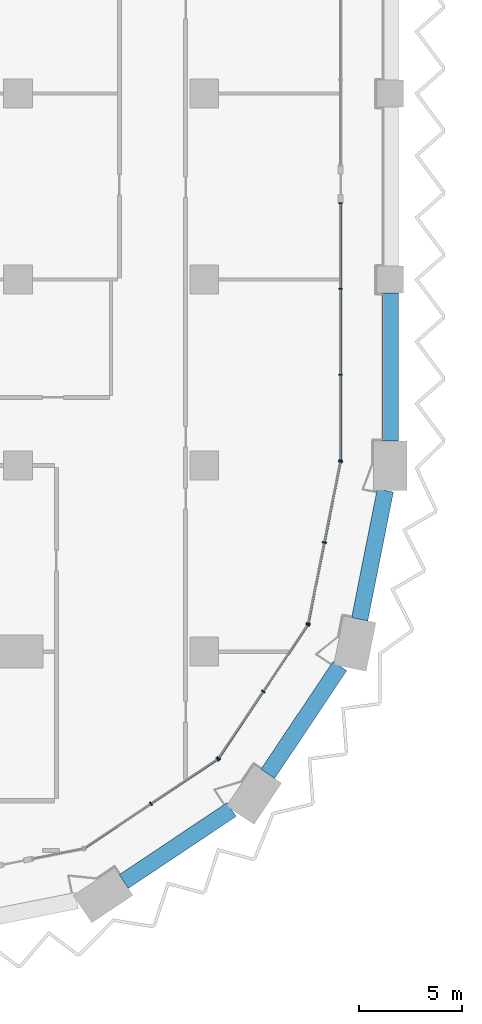
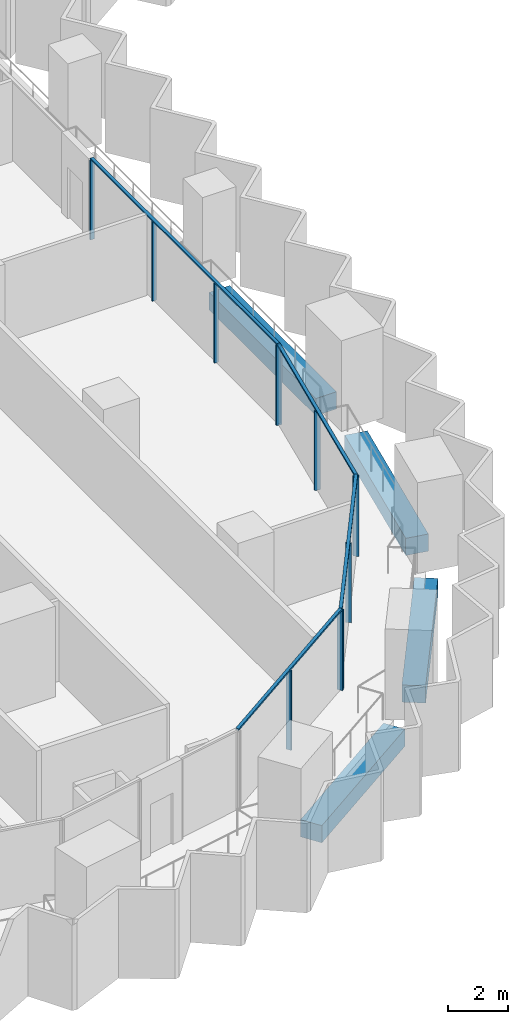
# One storey, part 3 of 28: 16 members, 4 beams, 4 elements without a shape of their own.
"""IFC4 building model written with IfcOpenShell, lengths in metres."""

from ifc_helpers import new_model, si_unit, direction, frame, origin, origin_2d, place, context, subcontext, project, spatial, rectangle, extrude, material, material_profile, profile_set, type_object, element, aggregate, save


model = new_model("IFC4")

# Units and contexts
model_context = context("Model", 3, precision=1e-05, world=origin(), true_north=direction((0.0, 1.0)))
body_context = subcontext(model_context, "Body", "Model", "MODEL_VIEW")
ifc_project = project(units=[si_unit("LENGTHUNIT", "METRE"), si_unit("AREAUNIT", "SQUARE_METRE"), si_unit("VOLUMEUNIT", "CUBIC_METRE"), si_unit("PLANEANGLEUNIT", "RADIAN"), si_unit("MASSUNIT", "GRAM", prefix="KILO")], contexts=[model_context])

# Site, building, storey
site_placement = place(None, origin())
site = spatial("IfcSite", under=ifc_project, at=site_placement, CompositionType="ELEMENT")
building_placement = place(site_placement, origin())
building = spatial("IfcBuilding", under=site, at=building_placement, Name="Hunhe Ridgeline Campus", CompositionType="ELEMENT")
storey_placement = place(building_placement, frame((0.0, 0.0, 61.699951171875)))
storey = spatial("IfcBuildingStorey", under=building, at=storey_placement, Name="L14", CompositionType="ELEMENT", Elevation=61.699951171875)

# Curtain wall, members
ifc_material_1 = material(Name="Aluminium 6063", Category="aluminium")
curtain_wall_type_1 = type_object("IfcCurtainWallType", Name="Curtain wall CW-1", PredefinedType="NOTDEFINED", material=ifc_material_1)
curtain_wall_1_placement = place(storey_placement, origin())
curtain_wall_1 = element("IfcCurtainWall", 1, at=curtain_wall_1_placement, inside=storey, type_object=curtain_wall_type_1, Name="Curtain wall 11", PredefinedType="NOTDEFINED")
ifc_material_profile_1 = material_profile(ifc_material_1, rectangle(XDim=0.159912109375, YDim=0.06005859375, at=origin_2d()))
ifc_profile_set_1 = profile_set([ifc_material_profile_1], Name="Aluminium 6063")
member_type_1 = type_object("IfcMemberType", Name="CW-1 aluminium mullion", PredefinedType="MULLION", material=ifc_profile_set_1)
member_1_placement = place(storey_placement, frame((42.59912109375, 27.266357421875, 0.0), z_axis=(0.0, 0.0, 1.0), x_axis=(-1.0, 1.60239e-07, 0.0)))
member_1 = element("IfcMember", 2, at=member_1_placement, type_object=member_type_1, Name="CW-1 mullion 1", PredefinedType="MULLION", context=body_context, shape_type="SweptSolid", body=[
    extrude(rectangle(XDim=0.159912109375, YDim=0.06005859375, at=origin_2d()), origin(), (0.0, 0.0, 1.0), 3.239990234375),
])
member_2_placement = place(storey_placement, frame((42.59912109375, 31.39697265625, 0.0), z_axis=(0.0, 0.0, 1.0), x_axis=(-1.0, 1.60239e-07, 0.0)))
member_2 = element("IfcMember", 3, at=member_2_placement, type_object=member_type_1, Name="CW-1 mullion 2", PredefinedType="MULLION", context=body_context, shape_type="SweptSolid", body=[
    extrude(rectangle(XDim=0.159912109375, YDim=0.06005859375, at=origin_2d()), origin(), (0.0, 0.0, 1.0), 3.239990234375),
])
member_3_placement = place(storey_placement, frame((42.59912109375, 35.5576171875, 0.0), z_axis=(0.0, 0.0, 1.0), x_axis=(-1.0, 1.60239e-07, 0.0)))
member_3 = element("IfcMember", 4, at=member_3_placement, type_object=member_type_1, Name="CW-1 mullion 3", PredefinedType="MULLION", context=body_context, shape_type="SweptSolid", body=[
    extrude(rectangle(XDim=0.159912109375, YDim=0.06005859375, at=origin_2d()), origin(), (0.0, 0.0, 1.0), 3.239990234375),
])
member_4_placement = place(storey_placement, frame((42.59912109375, 39.688232421875, 0.0), z_axis=(0.0, 0.0, 1.0), x_axis=(-1.0, 1.60239e-07, 0.0)))
member_4 = element("IfcMember", 5, at=member_4_placement, type_object=member_type_1, Name="CW-1 mullion 4", PredefinedType="MULLION", context=body_context, shape_type="SweptSolid", body=[
    extrude(rectangle(XDim=0.159912109375, YDim=0.06005859375, at=origin_2d()), origin(), (0.0, 0.0, 1.0), 3.239990234375),
])
ifc_material_profile_2 = material_profile(ifc_material_1, rectangle(XDim=0.1201171875, YDim=0.06005859375, at=origin_2d()))
ifc_profile_set_2 = profile_set([ifc_material_profile_2], Name="Aluminium 6063")
member_type_2 = type_object("IfcMemberType", Name="CW-1 aluminium transom", PredefinedType="USERDEFINED", material=ifc_profile_set_2)
member_5_placement = place(storey_placement, frame((42.59912109375, 27.236572265625, 3.27001953125), z_axis=(0.0, 1.0, 0.0), x_axis=(-1.0, 0.0, 0.0)))
member_5 = element("IfcMember", 6, at=member_5_placement, type_object=member_type_2, Name="CW-1 transom 1", ObjectType="TRANSOM", PredefinedType="USERDEFINED", context=body_context, shape_type="SweptSolid", body=[
    extrude(rectangle(XDim=0.1201171875, YDim=0.06005859375, at=origin_2d()), origin(), (0.0, 0.0, 1.0), 12.481689453125),
])
aggregate(curtain_wall_1, [member_5, member_1, member_2, member_3, member_4])

curtain_wall_type_2 = type_object("IfcCurtainWallType", Name="Curtain wall CW-5", PredefinedType="NOTDEFINED", material=ifc_material_1)
curtain_wall_2_placement = place(storey_placement, origin())
curtain_wall_2 = element("IfcCurtainWall", 7, at=curtain_wall_2_placement, inside=storey, type_object=curtain_wall_type_2, Name="Curtain wall 08", PredefinedType="NOTDEFINED")
ifc_material_profile_3 = material_profile(ifc_material_1, rectangle(XDim=0.199951171875, YDim=0.070068359375, at=origin_2d()))
ifc_profile_set_3 = profile_set([ifc_material_profile_3], Name="Aluminium 6063")
member_type_3 = type_object("IfcMemberType", Name="CW-5 aluminium mullion", PredefinedType="MULLION", material=ifc_profile_set_3)
member_6_placement = place(storey_placement, frame((33.42626953125, 10.647705078125, 0.0), z_axis=(0.0, 0.0, 1.0), x_axis=(-0.555570274596, 0.831469584522, 0.0)))
member_6 = element("IfcMember", 8, at=member_6_placement, type_object=member_type_3, Name="CW-5 mullion 2", PredefinedType="MULLION", context=body_context, shape_type="SweptSolid", body=[
    extrude(rectangle(XDim=0.199951171875, YDim=0.070068359375, at=origin_2d()), origin(), (0.0, 0.0, 1.0), 3.22998046875),
])
member_7_placement = place(storey_placement, frame((36.649658203125, 12.8017578125, 0.0), z_axis=(0.0, 0.0, 1.0), x_axis=(-0.555570274596, 0.831469584522, 0.0)))
member_7 = element("IfcMember", 9, at=member_7_placement, type_object=member_type_3, Name="CW-5 mullion 3", PredefinedType="MULLION", context=body_context, shape_type="SweptSolid", body=[
    extrude(rectangle(XDim=0.199951171875, YDim=0.070068359375, at=origin_2d()), origin(), (0.0, 0.0, 1.0), 3.22998046875),
])

curtain_wall_3_placement = place(storey_placement, origin())
curtain_wall_3 = element("IfcCurtainWall", 10, at=curtain_wall_3_placement, inside=storey, type_object=curtain_wall_type_2, Name="Curtain wall 09", PredefinedType="NOTDEFINED")
member_8_placement = place(storey_placement, frame((36.6982421875, 12.850341796875, 0.0), z_axis=(0.0, 0.0, 1.0), x_axis=(-0.831469584522, 0.555570274596, 0.0)))
member_8 = element("IfcMember", 11, at=member_8_placement, type_object=member_type_3, Name="CW-5 mullion 1", PredefinedType="MULLION", context=body_context, shape_type="SweptSolid", body=[
    extrude(rectangle(XDim=0.199951171875, YDim=0.070068359375, at=origin_2d()), origin(), (0.0, 0.0, 1.0), 3.22998046875),
])
member_9_placement = place(storey_placement, frame((38.852294921875, 16.07373046875, 0.0), z_axis=(0.0, 0.0, 1.0), x_axis=(-0.831469584522, 0.555570274596, 0.0)))
member_9 = element("IfcMember", 12, at=member_9_placement, type_object=member_type_3, Name="CW-5 mullion 2", PredefinedType="MULLION", context=body_context, shape_type="SweptSolid", body=[
    extrude(rectangle(XDim=0.199951171875, YDim=0.070068359375, at=origin_2d()), origin(), (0.0, 0.0, 1.0), 3.22998046875),
])
member_10_placement = place(storey_placement, frame((41.006103515625, 19.29736328125, 0.0), z_axis=(0.0, 0.0, 1.0), x_axis=(-0.831469584522, 0.555570274596, 0.0)))
member_10 = element("IfcMember", 13, at=member_10_placement, type_object=member_type_3, Name="CW-5 mullion 3", PredefinedType="MULLION", context=body_context, shape_type="SweptSolid", body=[
    extrude(rectangle(XDim=0.199951171875, YDim=0.070068359375, at=origin_2d()), origin(), (0.0, 0.0, 1.0), 3.22998046875),
])

curtain_wall_4_placement = place(storey_placement, origin())
curtain_wall_4 = element("IfcCurtainWall", 14, at=curtain_wall_4_placement, inside=storey, type_object=curtain_wall_type_2, Name="Curtain wall 10", PredefinedType="NOTDEFINED")
member_11_placement = place(storey_placement, frame((41.032470703125, 19.36083984375, 0.0), z_axis=(0.0, 0.0, 1.0), x_axis=(-0.980785284939, 0.195090299215, 0.0)))
member_11 = element("IfcMember", 15, at=member_11_placement, type_object=member_type_3, Name="CW-5 mullion 1", PredefinedType="MULLION", context=body_context, shape_type="SweptSolid", body=[
    extrude(rectangle(XDim=0.199951171875, YDim=0.070068359375, at=origin_2d()), origin(), (0.0, 0.0, 1.0), 3.22998046875),
])
member_12_placement = place(storey_placement, frame((41.812255859375, 23.281494140625, 0.0), z_axis=(0.0, 0.0, 1.0), x_axis=(-0.980785284939, 0.195090299215, 0.0)))
member_12 = element("IfcMember", 16, at=member_12_placement, type_object=member_type_3, Name="CW-5 mullion 2", PredefinedType="MULLION", context=body_context, shape_type="SweptSolid", body=[
    extrude(rectangle(XDim=0.199951171875, YDim=0.070068359375, at=origin_2d()), origin(), (0.0, 0.0, 1.0), 3.22998046875),
])
member_13_placement = place(storey_placement, frame((42.59228515625, 27.2021484375, 0.0), z_axis=(0.0, 0.0, 1.0), x_axis=(-0.980785284939, 0.195090299215, 0.0)))
member_13 = element("IfcMember", 17, at=member_13_placement, type_object=member_type_3, Name="CW-5 mullion 3", PredefinedType="MULLION", context=body_context, shape_type="SweptSolid", body=[
    extrude(rectangle(XDim=0.199951171875, YDim=0.070068359375, at=origin_2d()), origin(), (0.0, 0.0, 1.0), 3.22998046875),
])

# Member
ifc_material_profile_4 = material_profile(ifc_material_1, rectangle(XDim=0.1201171875, YDim=0.070068359375, at=origin_2d()))
ifc_profile_set_4 = profile_set([ifc_material_profile_4], Name="Aluminium 6063")
member_type_4 = type_object("IfcMemberType", Name="CW-5 aluminium transom", PredefinedType="USERDEFINED", material=ifc_profile_set_4)
member_14_placement = place(storey_placement, frame((30.173583984375, 8.474365234375, 3.26513671875), z_axis=(0.831473763475, 0.5555640203, 0.0), x_axis=(-0.5555640203, 0.831473763475, 0.0)))
member_14 = element("IfcMember", 18, at=member_14_placement, type_object=member_type_4, Name="CW-5 transom 1", ObjectType="TRANSOM", PredefinedType="USERDEFINED", context=body_context, shape_type="SweptSolid", body=[
    extrude(rectangle(XDim=0.1201171875, YDim=0.070068359375, at=origin_2d()), origin(), (0.0, 0.0, 1.0), 7.823974609375),
])

aggregate(curtain_wall_2, [member_14, member_6, member_7])

member_15_placement = place(storey_placement, frame((36.678955078125, 12.821044921875, 3.26513671875), z_axis=(0.5555640203, 0.831473763475, 0.0), x_axis=(-0.831473763475, 0.5555640203, 0.0)))
member_15 = element("IfcMember", 19, at=member_15_placement, type_object=member_type_4, Name="CW-5 transom 1", ObjectType="TRANSOM", PredefinedType="USERDEFINED", context=body_context, shape_type="SweptSolid", body=[
    extrude(rectangle(XDim=0.1201171875, YDim=0.070068359375, at=origin_2d()), origin(), (0.0, 0.0, 1.0), 7.823974609375),
])

aggregate(curtain_wall_3, [member_15, member_8, member_9, member_10])

member_16_placement = place(storey_placement, frame((41.025634765625, 19.326416015625, 3.26513671875), z_axis=(0.195097290093, 0.980783894341, 0.0), x_axis=(-0.980783894341, 0.195097290093, 0.0)))
member_16 = element("IfcMember", 20, at=member_16_placement, type_object=member_type_4, Name="CW-5 transom 1", ObjectType="TRANSOM", PredefinedType="USERDEFINED", context=body_context, shape_type="SweptSolid", body=[
    extrude(rectangle(XDim=0.1201171875, YDim=0.070068359375, at=origin_2d()), origin(), (0.0, 0.0, 1.0), 8.065185546875),
])

aggregate(curtain_wall_4, [member_16, member_11, member_12, member_13])

# Beams
ifc_material_2 = material(Name="Concrete C60", Category="concrete")
ifc_material_profile_5 = material_profile(ifc_material_2, rectangle(XDim=0.800048828125, YDim=0.699951171875, at=origin_2d()))
ifc_profile_set_5 = profile_set([ifc_material_profile_5], Name="Concrete C60")
beam_type = type_object("IfcBeamType", Name="RC spandrel beam 800x700 Concrete C60", PredefinedType="SPANDREL", material=ifc_profile_set_5)
for number, where, z_axis, x_axis, name in (
    (21, (32.108154296875, 6.87939453125, -0.599853515625), (0.831469696846, 0.555570106491, 0.0), (-0.555570106491, 0.831469696846, 0.0), "Spandrel beam B1-6 L14"),
    (22, (39.07666015625, 12.087890625, -0.599853515625), (0.555570106491, 0.831469696846, 0.0), (-0.831469696846, 0.555570106491, 0.0), "Spandrel beam B1-7 L14"),
):
    element("IfcBeam", number, at=place(storey_placement, frame(where, z_axis=z_axis, x_axis=x_axis)), inside=storey, type_object=beam_type, Name=name, PredefinedType="SPANDREL", context=body_context, shape_type="SweptSolid", body=[
        extrude(rectangle(XDim=0.800048828125, YDim=0.699951171875, at=origin_2d()), origin(), (0.0, 0.0, 1.0), 6.280029296875),
    ])
beam_1_placement = place(storey_placement, frame((43.521484375, 19.566650390625, -0.599853515625), z_axis=(0.195067021304, 0.980789914915, 0.0), x_axis=(-0.980789914915, 0.195067021304, 0.0)))
element("IfcBeam", 23, at=beam_1_placement, inside=storey, type_object=beam_type, Name="Spandrel beam B1-8 L14", PredefinedType="SPANDREL", context=body_context, shape_type="SweptSolid", body=[
    extrude(rectangle(XDim=0.800048828125, YDim=0.699951171875, at=origin_2d()), origin(), (0.0, 0.0, 1.0), 6.35546875),
])
beam_2_placement = place(storey_placement, frame((45.0, 28.199951171875, -0.599853515625), z_axis=(0.0, 1.0, 0.0), x_axis=(-1.0, 0.0, 0.0)))
element("IfcBeam", 24, at=beam_2_placement, inside=storey, type_object=beam_type, Name="Spandrel beam B1-9 L14", PredefinedType="SPANDREL", context=body_context, shape_type="SweptSolid", body=[
    extrude(rectangle(XDim=0.800048828125, YDim=0.699951171875, at=origin_2d()), origin(), (0.0, 0.0, 1.0), 7.150146484375),
])

save(model, "model.ifc")
